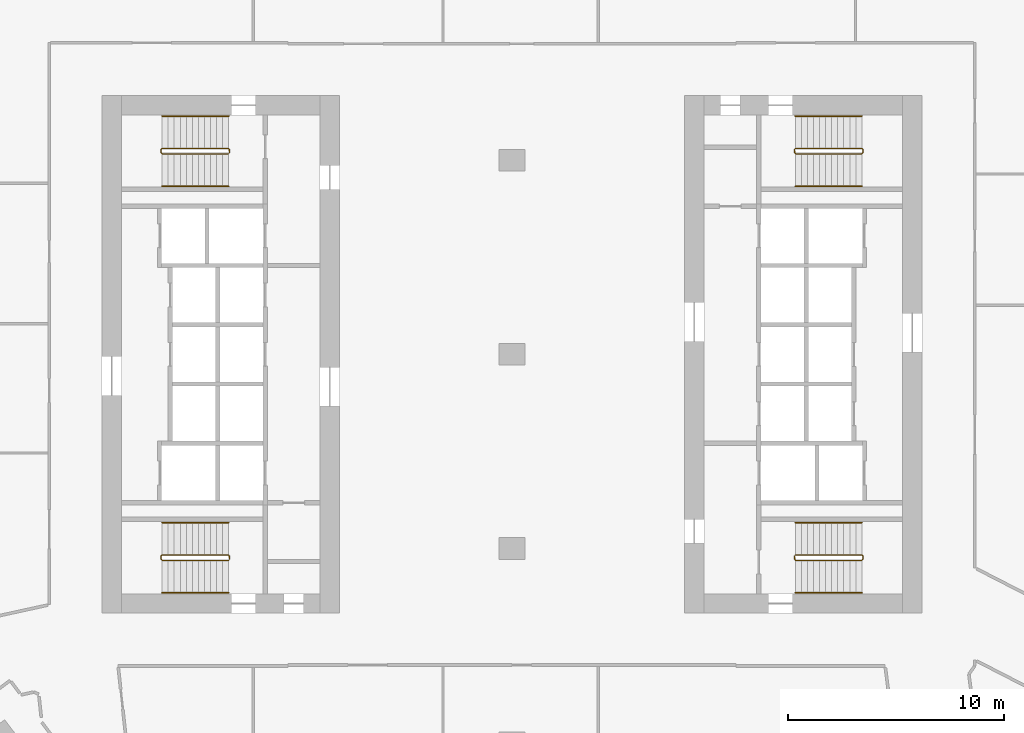
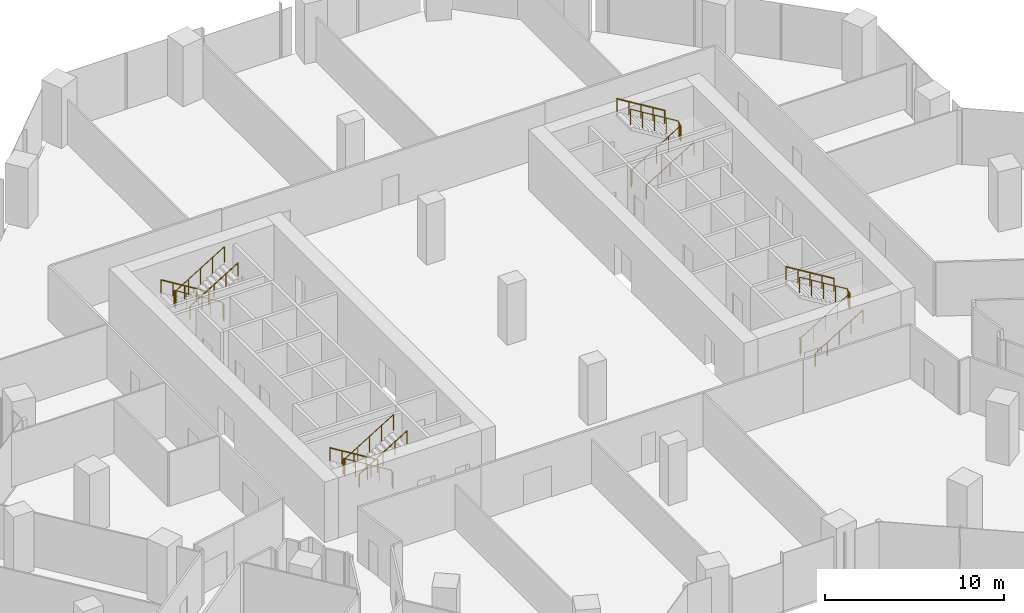
# One storey, part 28 of 29: 12 railings.
"""IFC4 building model written with IfcOpenShell, lengths in metres."""

from ifc_helpers import new_model, si_unit, direction, frame, origin, origin_2d, place, context, subcontext, project, spatial, circle, extrude, material, type_object, element, save


model = new_model("IFC4")

# Units and contexts
model_context = context("Model", 3, precision=1e-05, world=origin(), true_north=direction((0.0, 1.0)))
body_context = subcontext(model_context, "Body", "Model", "MODEL_VIEW")
ifc_project = project(units=[si_unit("LENGTHUNIT", "METRE"), si_unit("AREAUNIT", "SQUARE_METRE"), si_unit("VOLUMEUNIT", "CUBIC_METRE"), si_unit("PLANEANGLEUNIT", "RADIAN"), si_unit("MASSUNIT", "GRAM", prefix="KILO")], contexts=[model_context])

# Site, building, storey
site_placement = place(None, origin())
site = spatial("IfcSite", under=ifc_project, at=site_placement, CompositionType="ELEMENT")
building_placement = place(site_placement, origin())
building = spatial("IfcBuilding", under=site, at=building_placement, Name="Orlundy Tower", CompositionType="ELEMENT")
storey_placement = place(building_placement, frame((0.0, 0.0, 29.199951171875)))
storey = spatial("IfcBuildingStorey", under=building, at=storey_placement, Name="L05", CompositionType="ELEMENT", Elevation=29.199951171875)

# Railings
ifc_material_1 = material(Name="Steel balustrade", Category="steel")
railing_type_1 = type_object("IfcRailingType", Name="Stair Guard 1100", PredefinedType="GUARDRAIL", material=ifc_material_1)
railing_1_placement = place(storey_placement, frame((-13.090087890625, 9.5, 0.0)))
element("IfcRailing", 1, at=railing_1_placement, inside=storey, type_object=railing_type_1, Name="L05 ST-W1 stair guard 1", PredefinedType="GUARDRAIL", context=body_context, shape_type="SweptSolid", body=[
    extrude(circle(Radius=0.02392578125, at=origin_2d()), frame((0.0, 0.0, 1.076171875), z_axis=(0.0, -1.0, 0.0), x_axis=(1.0, 0.0, 0.0)), (0.0, 0.0, 1.0), 0.14990234375),
    extrude(circle(Radius=0.02392578125, at=origin_2d()), frame((0.0, -0.14990234375, 1.076171875), z_axis=(-0.186041502104, 0.746901912857, 0.638377703296), x_axis=(-0.970351222016, -0.241699205484, 0.0)), (0.0, 0.0, 1.0), 0.267822265625),
    extrude(circle(Radius=0.02392578125, at=origin_2d()), frame((-0.0498046875, 0.050048828125, 1.2470703125), z_axis=(-0.853666305674, 0.0, 0.52082035152), x_axis=(0.0, -1.0, 0.0)), (0.0, 0.0, 1.0), 3.608154296875),
    extrude(circle(Radius=0.02392578125, at=origin_2d()), frame((-3.1298828125, 0.050048828125, 3.1259765625), z_axis=(-0.707106781187, -0.707106781187, 0.0), x_axis=(0.707106781187, -0.707106781187, 0.0)), (0.0, 0.0, 1.0), 0.07080078125),
    extrude(circle(Radius=0.02392578125, at=origin_2d()), frame((-3.179931640625, 0.0, 3.1259765625), z_axis=(0.0, -1.0, 0.0), x_axis=(1.0, 0.0, 0.0)), (0.0, 0.0, 1.0), 0.14990234375),
    extrude(circle(Radius=0.02392578125, at=origin_2d()), frame((-3.179931640625, -0.14990234375, 3.1259765625), z_axis=(0.270569600507, -0.270569600507, 0.923896196855), x_axis=(0.707106781187, 0.707106781187, 0.0)), (0.0, 0.0, 1.0), 0.18505859375),
    extrude(circle(Radius=0.02392578125, at=origin_2d()), frame((-3.1298828125, -0.199951171875, 3.296875), z_axis=(0.853666305674, 0.0, 0.52082035152), x_axis=(0.0, 1.0, 0.0)), (0.0, 0.0, 1.0), 3.608154296875),
    extrude(circle(Radius=0.02099609375, at=origin_2d()), origin(), (0.0, 0.0, 1.0), 1.052001953125),
    extrude(circle(Radius=0.02099609375, at=origin_2d()), frame((0.0, -0.14990234375, 0.0)), (0.0, 0.0, 1.0), 1.052001953125),
    extrude(circle(Radius=0.02099609375, at=origin_2d()), frame((-0.0498046875, 0.050048828125, 0.1708984375)), (0.0, 0.0, 1.0), 1.052001953125),
    extrude(circle(Radius=0.02099609375, at=origin_2d()), frame((-0.81982421875, 0.050048828125, 0.640625)), (0.0, 0.0, 1.0), 1.052001953125),
    extrude(circle(Radius=0.02099609375, at=origin_2d()), frame((-1.58984375, 0.050048828125, 1.1103515625)), (0.0, 0.0, 1.0), 1.052001953125),
    extrude(circle(Radius=0.02099609375, at=origin_2d()), frame((-2.35986328125, 0.050048828125, 1.580322265625)), (0.0, 0.0, 1.0), 1.052001953125),
    extrude(circle(Radius=0.02099609375, at=origin_2d()), frame((-3.1298828125, 0.050048828125, 2.050048828125)), (0.0, 0.0, 1.0), 1.052001953125),
    extrude(circle(Radius=0.02099609375, at=origin_2d()), frame((-3.179931640625, 0.0, 2.050048828125)), (0.0, 0.0, 1.0), 1.052001953125),
    extrude(circle(Radius=0.02099609375, at=origin_2d()), frame((-3.179931640625, -0.14990234375, 2.050048828125)), (0.0, 0.0, 1.0), 1.052001953125),
    extrude(circle(Radius=0.02099609375, at=origin_2d()), frame((-3.1298828125, -0.199951171875, 2.220947265625)), (0.0, 0.0, 1.0), 1.052001953125),
    extrude(circle(Radius=0.02099609375, at=origin_2d()), frame((-2.35986328125, -0.199951171875, 2.690673828125)), (0.0, 0.0, 1.0), 1.052001953125),
    extrude(circle(Radius=0.02099609375, at=origin_2d()), frame((-1.58984375, -0.199951171875, 3.16064453125)), (0.0, 0.0, 1.0), 1.052001953125),
    extrude(circle(Radius=0.02099609375, at=origin_2d()), frame((-0.81982421875, -0.199951171875, 3.63037109375)), (0.0, 0.0, 1.0), 1.052001953125),
    extrude(circle(Radius=0.02099609375, at=origin_2d()), frame((-0.0498046875, -0.199951171875, 4.10009765625)), (0.0, 0.0, 1.0), 1.052001953125),
])
railing_2_placement = place(storey_placement, frame((-13.090087890625, -9.35009765625, 0.0)))
element("IfcRailing", 2, at=railing_2_placement, inside=storey, type_object=railing_type_1, Name="L05 ST-W2 stair guard 1", PredefinedType="GUARDRAIL", context=body_context, shape_type="SweptSolid", body=[
    extrude(circle(Radius=0.02392578125, at=origin_2d()), frame((0.0, 0.0, 1.076171875), z_axis=(0.0, -1.0, 0.0), x_axis=(1.0, 0.0, 0.0)), (0.0, 0.0, 1.0), 0.14990234375),
    extrude(circle(Radius=0.02392578125, at=origin_2d()), frame((0.0, -0.14990234375, 1.076171875), z_axis=(-0.186041502104, 0.746901912857, 0.638377703296), x_axis=(-0.970351222016, -0.241699205484, 0.0)), (0.0, 0.0, 1.0), 0.267822265625),
    extrude(circle(Radius=0.02392578125, at=origin_2d()), frame((-0.0498046875, 0.050048828125, 1.2470703125), z_axis=(-0.853666305674, 0.0, 0.52082035152), x_axis=(0.0, -1.0, 0.0)), (0.0, 0.0, 1.0), 3.608154296875),
    extrude(circle(Radius=0.02392578125, at=origin_2d()), frame((-3.1298828125, 0.050048828125, 3.1259765625), z_axis=(-0.707106781187, -0.707106781187, 0.0), x_axis=(0.707106781187, -0.707106781187, 0.0)), (0.0, 0.0, 1.0), 0.07080078125),
    extrude(circle(Radius=0.02392578125, at=origin_2d()), frame((-3.179931640625, 0.0, 3.1259765625), z_axis=(0.0, -1.0, 0.0), x_axis=(1.0, 0.0, 0.0)), (0.0, 0.0, 1.0), 0.14990234375),
    extrude(circle(Radius=0.02392578125, at=origin_2d()), frame((-3.179931640625, -0.14990234375, 3.1259765625), z_axis=(0.270569600507, -0.270569600507, 0.923896196855), x_axis=(0.707106781187, 0.707106781187, 0.0)), (0.0, 0.0, 1.0), 0.18505859375),
    extrude(circle(Radius=0.02392578125, at=origin_2d()), frame((-3.1298828125, -0.199951171875, 3.296875), z_axis=(0.853666305674, 0.0, 0.52082035152), x_axis=(0.0, 1.0, 0.0)), (0.0, 0.0, 1.0), 3.608154296875),
    extrude(circle(Radius=0.02099609375, at=origin_2d()), origin(), (0.0, 0.0, 1.0), 1.052001953125),
    extrude(circle(Radius=0.02099609375, at=origin_2d()), frame((0.0, -0.14990234375, 0.0)), (0.0, 0.0, 1.0), 1.052001953125),
    extrude(circle(Radius=0.02099609375, at=origin_2d()), frame((-0.0498046875, 0.050048828125, 0.1708984375)), (0.0, 0.0, 1.0), 1.052001953125),
    extrude(circle(Radius=0.02099609375, at=origin_2d()), frame((-0.81982421875, 0.050048828125, 0.640625)), (0.0, 0.0, 1.0), 1.052001953125),
    extrude(circle(Radius=0.02099609375, at=origin_2d()), frame((-1.58984375, 0.050048828125, 1.1103515625)), (0.0, 0.0, 1.0), 1.052001953125),
    extrude(circle(Radius=0.02099609375, at=origin_2d()), frame((-2.35986328125, 0.050048828125, 1.580322265625)), (0.0, 0.0, 1.0), 1.052001953125),
    extrude(circle(Radius=0.02099609375, at=origin_2d()), frame((-3.1298828125, 0.050048828125, 2.050048828125)), (0.0, 0.0, 1.0), 1.052001953125),
    extrude(circle(Radius=0.02099609375, at=origin_2d()), frame((-3.179931640625, 0.0, 2.050048828125)), (0.0, 0.0, 1.0), 1.052001953125),
    extrude(circle(Radius=0.02099609375, at=origin_2d()), frame((-3.179931640625, -0.14990234375, 2.050048828125)), (0.0, 0.0, 1.0), 1.052001953125),
    extrude(circle(Radius=0.02099609375, at=origin_2d()), frame((-3.1298828125, -0.199951171875, 2.220947265625)), (0.0, 0.0, 1.0), 1.052001953125),
    extrude(circle(Radius=0.02099609375, at=origin_2d()), frame((-2.35986328125, -0.199951171875, 2.690673828125)), (0.0, 0.0, 1.0), 1.052001953125),
    extrude(circle(Radius=0.02099609375, at=origin_2d()), frame((-1.58984375, -0.199951171875, 3.16064453125)), (0.0, 0.0, 1.0), 1.052001953125),
    extrude(circle(Radius=0.02099609375, at=origin_2d()), frame((-0.81982421875, -0.199951171875, 3.63037109375)), (0.0, 0.0, 1.0), 1.052001953125),
    extrude(circle(Radius=0.02099609375, at=origin_2d()), frame((-0.0498046875, -0.199951171875, 4.10009765625)), (0.0, 0.0, 1.0), 1.052001953125),
])
railing_3_placement = place(storey_placement, frame((13.090087890625, -9.5, 0.0)))
element("IfcRailing", 3, at=railing_3_placement, inside=storey, type_object=railing_type_1, Name="L05 ST-E1 stair guard 1", PredefinedType="GUARDRAIL", context=body_context, shape_type="SweptSolid", body=[
    extrude(circle(Radius=0.02392578125, at=origin_2d()), frame((0.0, 0.0, 1.076171875), z_axis=(0.0, 1.0, 0.0), x_axis=(-1.0, 0.0, 0.0)), (0.0, 0.0, 1.0), 0.14990234375),
    extrude(circle(Radius=0.02392578125, at=origin_2d()), frame((0.0, 0.14990234375, 1.076171875), z_axis=(0.186041502104, -0.746901912857, 0.638377703296), x_axis=(0.970351222016, 0.241699205484, 0.0)), (0.0, 0.0, 1.0), 0.267822265625),
    extrude(circle(Radius=0.02392578125, at=origin_2d()), frame((0.0498046875, -0.050048828125, 1.2470703125), z_axis=(0.853666305674, 0.0, 0.52082035152), x_axis=(0.0, 1.0, 0.0)), (0.0, 0.0, 1.0), 3.608154296875),
    extrude(circle(Radius=0.02392578125, at=origin_2d()), frame((3.1298828125, -0.050048828125, 3.1259765625), z_axis=(0.707106781187, 0.707106781187, 0.0), x_axis=(-0.707106781187, 0.707106781187, 0.0)), (0.0, 0.0, 1.0), 0.07080078125),
    extrude(circle(Radius=0.02392578125, at=origin_2d()), frame((3.179931640625, 0.0, 3.1259765625), z_axis=(0.0, 1.0, 0.0), x_axis=(-1.0, 0.0, 0.0)), (0.0, 0.0, 1.0), 0.14990234375),
    extrude(circle(Radius=0.02392578125, at=origin_2d()), frame((3.179931640625, 0.14990234375, 3.1259765625), z_axis=(-0.270569600507, 0.270569600507, 0.923896196855), x_axis=(-0.707106781187, -0.707106781187, 0.0)), (0.0, 0.0, 1.0), 0.18505859375),
    extrude(circle(Radius=0.02392578125, at=origin_2d()), frame((3.1298828125, 0.199951171875, 3.296875), z_axis=(-0.853666305674, 0.0, 0.52082035152), x_axis=(0.0, -1.0, 0.0)), (0.0, 0.0, 1.0), 3.608154296875),
    extrude(circle(Radius=0.02099609375, at=origin_2d()), origin(), (0.0, 0.0, 1.0), 1.052001953125),
    extrude(circle(Radius=0.02099609375, at=origin_2d()), frame((0.0, 0.14990234375, 0.0)), (0.0, 0.0, 1.0), 1.052001953125),
    extrude(circle(Radius=0.02099609375, at=origin_2d()), frame((0.0498046875, -0.050048828125, 0.1708984375)), (0.0, 0.0, 1.0), 1.052001953125),
    extrude(circle(Radius=0.02099609375, at=origin_2d()), frame((0.81982421875, -0.050048828125, 0.640625)), (0.0, 0.0, 1.0), 1.052001953125),
    extrude(circle(Radius=0.02099609375, at=origin_2d()), frame((1.58984375, -0.050048828125, 1.1103515625)), (0.0, 0.0, 1.0), 1.052001953125),
    extrude(circle(Radius=0.02099609375, at=origin_2d()), frame((2.35986328125, -0.050048828125, 1.580322265625)), (0.0, 0.0, 1.0), 1.052001953125),
    extrude(circle(Radius=0.02099609375, at=origin_2d()), frame((3.1298828125, -0.050048828125, 2.050048828125)), (0.0, 0.0, 1.0), 1.052001953125),
    extrude(circle(Radius=0.02099609375, at=origin_2d()), frame((3.179931640625, 0.0, 2.050048828125)), (0.0, 0.0, 1.0), 1.052001953125),
    extrude(circle(Radius=0.02099609375, at=origin_2d()), frame((3.179931640625, 0.14990234375, 2.050048828125)), (0.0, 0.0, 1.0), 1.052001953125),
    extrude(circle(Radius=0.02099609375, at=origin_2d()), frame((3.1298828125, 0.199951171875, 2.220947265625)), (0.0, 0.0, 1.0), 1.052001953125),
    extrude(circle(Radius=0.02099609375, at=origin_2d()), frame((2.35986328125, 0.199951171875, 2.690673828125)), (0.0, 0.0, 1.0), 1.052001953125),
    extrude(circle(Radius=0.02099609375, at=origin_2d()), frame((1.58984375, 0.199951171875, 3.16064453125)), (0.0, 0.0, 1.0), 1.052001953125),
    extrude(circle(Radius=0.02099609375, at=origin_2d()), frame((0.81982421875, 0.199951171875, 3.63037109375)), (0.0, 0.0, 1.0), 1.052001953125),
    extrude(circle(Radius=0.02099609375, at=origin_2d()), frame((0.0498046875, 0.199951171875, 4.10009765625)), (0.0, 0.0, 1.0), 1.052001953125),
])
railing_4_placement = place(storey_placement, frame((13.090087890625, 9.35009765625, 0.0)))
element("IfcRailing", 4, at=railing_4_placement, inside=storey, type_object=railing_type_1, Name="L05 ST-E2 stair guard 1", PredefinedType="GUARDRAIL", context=body_context, shape_type="SweptSolid", body=[
    extrude(circle(Radius=0.02392578125, at=origin_2d()), frame((0.0, 0.0, 1.076171875), z_axis=(0.0, 1.0, 0.0), x_axis=(-1.0, 0.0, 0.0)), (0.0, 0.0, 1.0), 0.14990234375),
    extrude(circle(Radius=0.02392578125, at=origin_2d()), frame((0.0, 0.14990234375, 1.076171875), z_axis=(0.186041502104, -0.746901912857, 0.638377703296), x_axis=(0.970351222016, 0.241699205484, 0.0)), (0.0, 0.0, 1.0), 0.267822265625),
    extrude(circle(Radius=0.02392578125, at=origin_2d()), frame((0.0498046875, -0.050048828125, 1.2470703125), z_axis=(0.853666305674, 0.0, 0.52082035152), x_axis=(0.0, 1.0, 0.0)), (0.0, 0.0, 1.0), 3.608154296875),
    extrude(circle(Radius=0.02392578125, at=origin_2d()), frame((3.1298828125, -0.050048828125, 3.1259765625), z_axis=(0.707106781187, 0.707106781187, 0.0), x_axis=(-0.707106781187, 0.707106781187, 0.0)), (0.0, 0.0, 1.0), 0.07080078125),
    extrude(circle(Radius=0.02392578125, at=origin_2d()), frame((3.179931640625, 0.0, 3.1259765625), z_axis=(0.0, 1.0, 0.0), x_axis=(-1.0, 0.0, 0.0)), (0.0, 0.0, 1.0), 0.14990234375),
    extrude(circle(Radius=0.02392578125, at=origin_2d()), frame((3.179931640625, 0.14990234375, 3.1259765625), z_axis=(-0.270569600507, 0.270569600507, 0.923896196855), x_axis=(-0.707106781187, -0.707106781187, 0.0)), (0.0, 0.0, 1.0), 0.18505859375),
    extrude(circle(Radius=0.02392578125, at=origin_2d()), frame((3.1298828125, 0.199951171875, 3.296875), z_axis=(-0.853666305674, 0.0, 0.52082035152), x_axis=(0.0, -1.0, 0.0)), (0.0, 0.0, 1.0), 3.608154296875),
    extrude(circle(Radius=0.02099609375, at=origin_2d()), origin(), (0.0, 0.0, 1.0), 1.052001953125),
    extrude(circle(Radius=0.02099609375, at=origin_2d()), frame((0.0, 0.14990234375, 0.0)), (0.0, 0.0, 1.0), 1.052001953125),
    extrude(circle(Radius=0.02099609375, at=origin_2d()), frame((0.0498046875, -0.050048828125, 0.1708984375)), (0.0, 0.0, 1.0), 1.052001953125),
    extrude(circle(Radius=0.02099609375, at=origin_2d()), frame((0.81982421875, -0.050048828125, 0.640625)), (0.0, 0.0, 1.0), 1.052001953125),
    extrude(circle(Radius=0.02099609375, at=origin_2d()), frame((1.58984375, -0.050048828125, 1.1103515625)), (0.0, 0.0, 1.0), 1.052001953125),
    extrude(circle(Radius=0.02099609375, at=origin_2d()), frame((2.35986328125, -0.050048828125, 1.580322265625)), (0.0, 0.0, 1.0), 1.052001953125),
    extrude(circle(Radius=0.02099609375, at=origin_2d()), frame((3.1298828125, -0.050048828125, 2.050048828125)), (0.0, 0.0, 1.0), 1.052001953125),
    extrude(circle(Radius=0.02099609375, at=origin_2d()), frame((3.179931640625, 0.0, 2.050048828125)), (0.0, 0.0, 1.0), 1.052001953125),
    extrude(circle(Radius=0.02099609375, at=origin_2d()), frame((3.179931640625, 0.14990234375, 2.050048828125)), (0.0, 0.0, 1.0), 1.052001953125),
    extrude(circle(Radius=0.02099609375, at=origin_2d()), frame((3.1298828125, 0.199951171875, 2.220947265625)), (0.0, 0.0, 1.0), 1.052001953125),
    extrude(circle(Radius=0.02099609375, at=origin_2d()), frame((2.35986328125, 0.199951171875, 2.690673828125)), (0.0, 0.0, 1.0), 1.052001953125),
    extrude(circle(Radius=0.02099609375, at=origin_2d()), frame((1.58984375, 0.199951171875, 3.16064453125)), (0.0, 0.0, 1.0), 1.052001953125),
    extrude(circle(Radius=0.02099609375, at=origin_2d()), frame((0.81982421875, 0.199951171875, 3.63037109375)), (0.0, 0.0, 1.0), 1.052001953125),
    extrude(circle(Radius=0.02099609375, at=origin_2d()), frame((0.0498046875, 0.199951171875, 4.10009765625)), (0.0, 0.0, 1.0), 1.052001953125),
])
ifc_material_2 = material(Name="Steel handrail", Category="steel")
railing_type_2 = type_object("IfcRailingType", Name="Stair Handrail 900", PredefinedType="HANDRAIL", material=ifc_material_2)
railing_5_placement = place(storey_placement, frame((-13.139892578125, 11.050048828125, 0.1708984375)))
element("IfcRailing", 5, at=railing_5_placement, inside=storey, type_object=railing_type_2, Name="L05 ST-W1 stair handrail 1", PredefinedType="HANDRAIL", context=body_context, shape_type="SweptSolid", body=[
    extrude(circle(Radius=0.02392578125, at=origin_2d()), frame((0.0, 0.0, 0.8759765625), z_axis=(-0.853666305674, 0.0, 0.52082035152), x_axis=(0.0, -1.0, 0.0)), (0.0, 0.0, 1.0), 3.608154296875),
    extrude(circle(Radius=0.02099609375, at=origin_2d()), origin(), (0.0, 0.0, 1.0), 0.851806640625),
    extrude(circle(Radius=0.02099609375, at=origin_2d()), frame((-0.77001953125, 0.0, 0.4697265625)), (0.0, 0.0, 1.0), 0.851806640625),
    extrude(circle(Radius=0.02099609375, at=origin_2d()), frame((-1.5400390625, 0.0, 0.939453125)), (0.0, 0.0, 1.0), 0.851806640625),
    extrude(circle(Radius=0.02099609375, at=origin_2d()), frame((-2.31005859375, 0.0, 1.409423828125)), (0.0, 0.0, 1.0), 0.851806640625),
    extrude(circle(Radius=0.02099609375, at=origin_2d()), frame((-3.080078125, 0.0, 1.879150390625)), (0.0, 0.0, 1.0), 0.851806640625),
])
railing_6_placement = place(storey_placement, frame((-16.219970703125, 7.800048828125, 2.220947265625)))
element("IfcRailing", 6, at=railing_6_placement, inside=storey, type_object=railing_type_2, Name="L05 ST-W1 stair handrail 2", PredefinedType="HANDRAIL", context=body_context, shape_type="SweptSolid", body=[
    extrude(circle(Radius=0.02392578125, at=origin_2d()), frame((0.0, 0.0, 0.8759765625), z_axis=(0.853666305674, 0.0, 0.52082035152), x_axis=(0.0, 1.0, 0.0)), (0.0, 0.0, 1.0), 3.608154296875),
    extrude(circle(Radius=0.02099609375, at=origin_2d()), origin(), (0.0, 0.0, 1.0), 0.851806640625),
    extrude(circle(Radius=0.02099609375, at=origin_2d()), frame((0.77001953125, 0.0, 0.4697265625)), (0.0, 0.0, 1.0), 0.851806640625),
    extrude(circle(Radius=0.02099609375, at=origin_2d()), frame((1.5400390625, 0.0, 0.939453125)), (0.0, 0.0, 1.0), 0.851806640625),
    extrude(circle(Radius=0.02099609375, at=origin_2d()), frame((2.31005859375, 0.0, 1.409423828125)), (0.0, 0.0, 1.0), 0.851806640625),
    extrude(circle(Radius=0.02099609375, at=origin_2d()), frame((3.080078125, 0.0, 1.879150390625)), (0.0, 0.0, 1.0), 0.851806640625),
])
railing_7_placement = place(storey_placement, frame((-13.139892578125, -7.800048828125, 0.1708984375)))
element("IfcRailing", 7, at=railing_7_placement, inside=storey, type_object=railing_type_2, Name="L05 ST-W2 stair handrail 1", PredefinedType="HANDRAIL", context=body_context, shape_type="SweptSolid", body=[
    extrude(circle(Radius=0.02392578125, at=origin_2d()), frame((0.0, 0.0, 0.8759765625), z_axis=(-0.853666305674, 0.0, 0.52082035152), x_axis=(0.0, -1.0, 0.0)), (0.0, 0.0, 1.0), 3.608154296875),
    extrude(circle(Radius=0.02099609375, at=origin_2d()), origin(), (0.0, 0.0, 1.0), 0.851806640625),
    extrude(circle(Radius=0.02099609375, at=origin_2d()), frame((-0.77001953125, 0.0, 0.4697265625)), (0.0, 0.0, 1.0), 0.851806640625),
    extrude(circle(Radius=0.02099609375, at=origin_2d()), frame((-1.5400390625, 0.0, 0.939453125)), (0.0, 0.0, 1.0), 0.851806640625),
    extrude(circle(Radius=0.02099609375, at=origin_2d()), frame((-2.31005859375, 0.0, 1.409423828125)), (0.0, 0.0, 1.0), 0.851806640625),
    extrude(circle(Radius=0.02099609375, at=origin_2d()), frame((-3.080078125, 0.0, 1.879150390625)), (0.0, 0.0, 1.0), 0.851806640625),
])
for number, where, name in (
    (8, (-16.219970703125, -11.050048828125, 2.220947265625), "L05 ST-W2 stair handrail 2"),
    (9, (13.139892578125, -11.050048828125, 0.1708984375), "L05 ST-E1 stair handrail 1"),
):
    element("IfcRailing", number, at=place(storey_placement, frame(where)), inside=storey, type_object=railing_type_2, Name=name, PredefinedType="HANDRAIL", context=body_context, shape_type="SweptSolid", body=[
        extrude(circle(Radius=0.02392578125, at=origin_2d()), frame((0.0, 0.0, 0.8759765625), z_axis=(0.853666305674, 0.0, 0.52082035152), x_axis=(0.0, 1.0, 0.0)), (0.0, 0.0, 1.0), 3.608154296875),
        extrude(circle(Radius=0.02099609375, at=origin_2d()), origin(), (0.0, 0.0, 1.0), 0.851806640625),
        extrude(circle(Radius=0.02099609375, at=origin_2d()), frame((0.77001953125, 0.0, 0.4697265625)), (0.0, 0.0, 1.0), 0.851806640625),
        extrude(circle(Radius=0.02099609375, at=origin_2d()), frame((1.5400390625, 0.0, 0.939453125)), (0.0, 0.0, 1.0), 0.851806640625),
        extrude(circle(Radius=0.02099609375, at=origin_2d()), frame((2.31005859375, 0.0, 1.409423828125)), (0.0, 0.0, 1.0), 0.851806640625),
        extrude(circle(Radius=0.02099609375, at=origin_2d()), frame((3.080078125, 0.0, 1.879150390625)), (0.0, 0.0, 1.0), 0.851806640625),
    ])
railing_8_placement = place(storey_placement, frame((16.219970703125, -7.800048828125, 2.220947265625)))
element("IfcRailing", 10, at=railing_8_placement, inside=storey, type_object=railing_type_2, Name="L05 ST-E1 stair handrail 2", PredefinedType="HANDRAIL", context=body_context, shape_type="SweptSolid", body=[
    extrude(circle(Radius=0.02392578125, at=origin_2d()), frame((0.0, 0.0, 0.8759765625), z_axis=(-0.853666305674, 0.0, 0.52082035152), x_axis=(0.0, -1.0, 0.0)), (0.0, 0.0, 1.0), 3.608154296875),
    extrude(circle(Radius=0.02099609375, at=origin_2d()), origin(), (0.0, 0.0, 1.0), 0.851806640625),
    extrude(circle(Radius=0.02099609375, at=origin_2d()), frame((-0.77001953125, 0.0, 0.4697265625)), (0.0, 0.0, 1.0), 0.851806640625),
    extrude(circle(Radius=0.02099609375, at=origin_2d()), frame((-1.5400390625, 0.0, 0.939453125)), (0.0, 0.0, 1.0), 0.851806640625),
    extrude(circle(Radius=0.02099609375, at=origin_2d()), frame((-2.31005859375, 0.0, 1.409423828125)), (0.0, 0.0, 1.0), 0.851806640625),
    extrude(circle(Radius=0.02099609375, at=origin_2d()), frame((-3.080078125, 0.0, 1.879150390625)), (0.0, 0.0, 1.0), 0.851806640625),
])
railing_9_placement = place(storey_placement, frame((13.139892578125, 7.800048828125, 0.1708984375)))
element("IfcRailing", 11, at=railing_9_placement, inside=storey, type_object=railing_type_2, Name="L05 ST-E2 stair handrail 1", PredefinedType="HANDRAIL", context=body_context, shape_type="SweptSolid", body=[
    extrude(circle(Radius=0.02392578125, at=origin_2d()), frame((0.0, 0.0, 0.8759765625), z_axis=(0.853666305674, 0.0, 0.52082035152), x_axis=(0.0, 1.0, 0.0)), (0.0, 0.0, 1.0), 3.608154296875),
    extrude(circle(Radius=0.02099609375, at=origin_2d()), origin(), (0.0, 0.0, 1.0), 0.851806640625),
    extrude(circle(Radius=0.02099609375, at=origin_2d()), frame((0.77001953125, 0.0, 0.4697265625)), (0.0, 0.0, 1.0), 0.851806640625),
    extrude(circle(Radius=0.02099609375, at=origin_2d()), frame((1.5400390625, 0.0, 0.939453125)), (0.0, 0.0, 1.0), 0.851806640625),
    extrude(circle(Radius=0.02099609375, at=origin_2d()), frame((2.31005859375, 0.0, 1.409423828125)), (0.0, 0.0, 1.0), 0.851806640625),
    extrude(circle(Radius=0.02099609375, at=origin_2d()), frame((3.080078125, 0.0, 1.879150390625)), (0.0, 0.0, 1.0), 0.851806640625),
])
railing_10_placement = place(storey_placement, frame((16.219970703125, 11.050048828125, 2.220947265625)))
element("IfcRailing", 12, at=railing_10_placement, inside=storey, type_object=railing_type_2, Name="L05 ST-E2 stair handrail 2", PredefinedType="HANDRAIL", context=body_context, shape_type="SweptSolid", body=[
    extrude(circle(Radius=0.02392578125, at=origin_2d()), frame((0.0, 0.0, 0.8759765625), z_axis=(-0.853666305674, 0.0, 0.52082035152), x_axis=(0.0, -1.0, 0.0)), (0.0, 0.0, 1.0), 3.608154296875),
    extrude(circle(Radius=0.02099609375, at=origin_2d()), origin(), (0.0, 0.0, 1.0), 0.851806640625),
    extrude(circle(Radius=0.02099609375, at=origin_2d()), frame((-0.77001953125, 0.0, 0.4697265625)), (0.0, 0.0, 1.0), 0.851806640625),
    extrude(circle(Radius=0.02099609375, at=origin_2d()), frame((-1.5400390625, 0.0, 0.939453125)), (0.0, 0.0, 1.0), 0.851806640625),
    extrude(circle(Radius=0.02099609375, at=origin_2d()), frame((-2.31005859375, 0.0, 1.409423828125)), (0.0, 0.0, 1.0), 0.851806640625),
    extrude(circle(Radius=0.02099609375, at=origin_2d()), frame((-3.080078125, 0.0, 1.879150390625)), (0.0, 0.0, 1.0), 0.851806640625),
])

save(model, "model.ifc")
